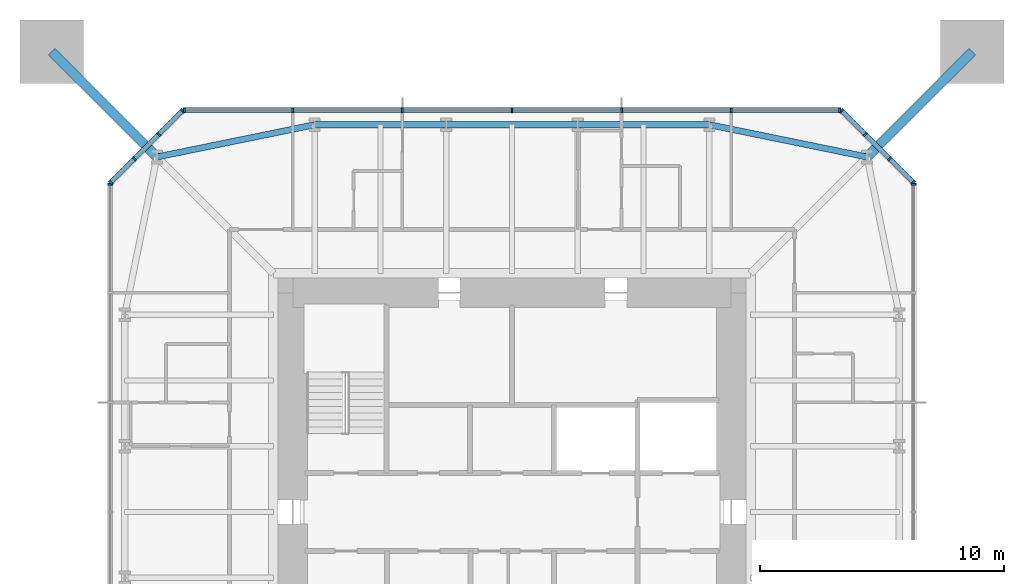
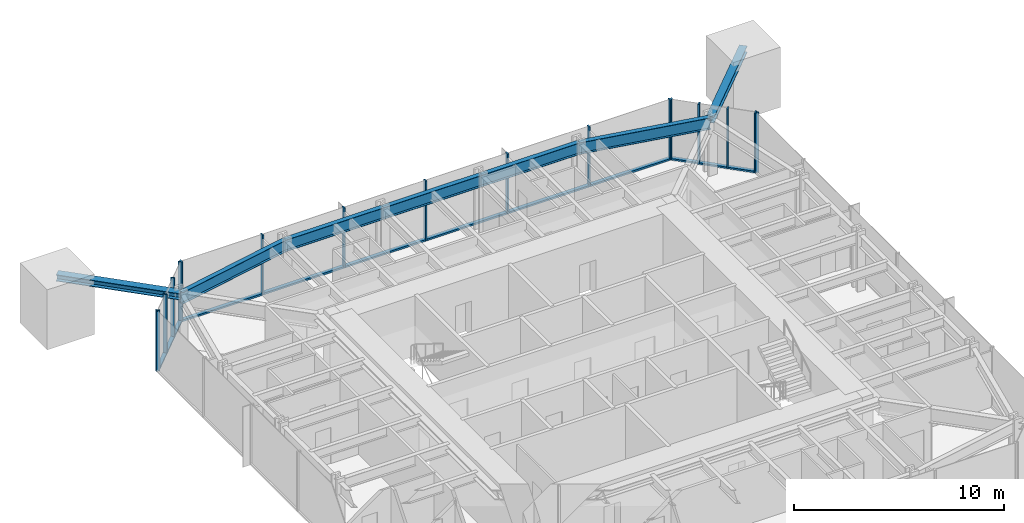
# One storey, part 4 of 9: 31 members, 5 beams, 5 elements without a shape of their own.
"""IFC4 building model written with IfcOpenShell, lengths in metres."""

from ifc_helpers import new_model, si_unit, direction, frame, origin, origin_2d, place, context, subcontext, project, spatial, rectangle, i_section, extrude, material, material_profile, profile_set, type_object, element, aggregate, save


model = new_model("IFC4")

# Units and contexts
model_context = context("Model", 3, precision=1e-05, world=origin(), true_north=direction((0.0, 1.0)))
body_context = subcontext(model_context, "Body", "Model", "MODEL_VIEW")
ifc_project = project(units=[si_unit("LENGTHUNIT", "METRE"), si_unit("AREAUNIT", "SQUARE_METRE"), si_unit("VOLUMEUNIT", "CUBIC_METRE"), si_unit("PLANEANGLEUNIT", "RADIAN"), si_unit("MASSUNIT", "GRAM", prefix="KILO")], contexts=[model_context])

# Site, building, storey
site_placement = place(None, origin())
site = spatial("IfcSite", under=ifc_project, at=site_placement, CompositionType="ELEMENT")
building_placement = place(site_placement, origin())
building = spatial("IfcBuilding", under=site, at=building_placement, Name="Iwan Alto Co-Living Towers", CompositionType="ELEMENT")
storey_placement = place(building_placement, frame((0.0, 0.0, 239.5)))
storey = spatial("IfcBuildingStorey", under=building, at=storey_placement, Name="L65", CompositionType="ELEMENT", Elevation=239.5)

# Curtain wall, member
ifc_material_1 = material(Name="Bronze aluminium unitised frame", Category="aluminium")
curtain_wall_type_1 = type_object("IfcCurtainWallType", Name="CURTAIN WALL CW-A", PredefinedType="NOTDEFINED", material=ifc_material_1)
curtain_wall_1_placement = place(storey_placement, origin())
curtain_wall_1 = element("IfcCurtainWall", 1, at=curtain_wall_1_placement, inside=storey, type_object=curtain_wall_type_1, Name="T1 curtain wall E L65", PredefinedType="NOTDEFINED")
ifc_material_2 = material(Name="Aluminium 6063-T6 bronze anodised", Category="aluminium")
ifc_material_profile_1 = material_profile(ifc_material_2, rectangle(XDim=0.199951171875, YDim=0.080078125, at=origin_2d()), Name="AL 80X200")
ifc_profile_set_1 = profile_set([ifc_material_profile_1], Name="Aluminium 6063-T6 bronze anodised")
member_type_1 = type_object("IfcMemberType", Name="CW-A MULLION 80X200", PredefinedType="MULLION", material=ifc_profile_set_1)
member_1_placement = place(storey_placement, frame((16.5, 13.4599609375, 0.0), z_axis=(0.0, 0.0, 1.0), x_axis=(-1.0, 0.0, 0.0)))
member_1 = element("IfcMember", 2, at=member_1_placement, type_object=member_type_1, Name="CW-A mullion 7", PredefinedType="MULLION", context=body_context, shape_type="SweptSolid", body=[
    extrude(rectangle(XDim=0.199951171875, YDim=0.080078125, at=origin_2d()), origin(), (0.0, 0.0, 1.0), 3.5),
])
aggregate(curtain_wall_1, [member_1])

# Curtain wall, members
curtain_wall_2_placement = place(storey_placement, origin())
curtain_wall_2 = element("IfcCurtainWall", 3, at=curtain_wall_2_placement, inside=storey, type_object=curtain_wall_type_1, Name="T1 curtain wall N L65", PredefinedType="NOTDEFINED")
member_2_placement = place(storey_placement, frame((13.4599609375, 16.5, 0.0), z_axis=(0.0, 0.0, 1.0), x_axis=(0.0, -1.0, 0.0)))
member_2 = element("IfcMember", 4, at=member_2_placement, type_object=member_type_1, Name="CW-A mullion 1", PredefinedType="MULLION", context=body_context, shape_type="SweptSolid", body=[
    extrude(rectangle(XDim=0.199951171875, YDim=0.080078125, at=origin_2d()), origin(), (0.0, 0.0, 1.0), 3.5),
])
member_3_placement = place(storey_placement, frame((9.0, 16.5, 0.0), z_axis=(0.0, 0.0, 1.0), x_axis=(0.0, -1.0, 0.0)))
member_3 = element("IfcMember", 5, at=member_3_placement, type_object=member_type_1, Name="CW-A mullion 2", PredefinedType="MULLION", context=body_context, shape_type="SweptSolid", body=[
    extrude(rectangle(XDim=0.199951171875, YDim=0.080078125, at=origin_2d()), origin(), (0.0, 0.0, 1.0), 3.5),
])
member_4_placement = place(storey_placement, frame((4.5, 16.5, 0.0), z_axis=(0.0, 0.0, 1.0), x_axis=(0.0, -1.0, 0.0)))
member_4 = element("IfcMember", 6, at=member_4_placement, type_object=member_type_1, Name="CW-A mullion 3", PredefinedType="MULLION", context=body_context, shape_type="SweptSolid", body=[
    extrude(rectangle(XDim=0.199951171875, YDim=0.080078125, at=origin_2d()), origin(), (0.0, 0.0, 1.0), 3.5),
])
member_5_placement = place(storey_placement, frame((0.0, 16.5, 0.0), z_axis=(0.0, 0.0, 1.0), x_axis=(0.0, -1.0, 0.0)))
member_5 = element("IfcMember", 7, at=member_5_placement, type_object=member_type_1, Name="CW-A mullion 4", PredefinedType="MULLION", context=body_context, shape_type="SweptSolid", body=[
    extrude(rectangle(XDim=0.199951171875, YDim=0.080078125, at=origin_2d()), origin(), (0.0, 0.0, 1.0), 3.5),
])
member_6_placement = place(storey_placement, frame((-4.5, 16.5, 0.0), z_axis=(0.0, 0.0, 1.0), x_axis=(0.0, -1.0, 0.0)))
member_6 = element("IfcMember", 8, at=member_6_placement, type_object=member_type_1, Name="CW-A mullion 5", PredefinedType="MULLION", context=body_context, shape_type="SweptSolid", body=[
    extrude(rectangle(XDim=0.199951171875, YDim=0.080078125, at=origin_2d()), origin(), (0.0, 0.0, 1.0), 3.5),
])
member_7_placement = place(storey_placement, frame((-9.0, 16.5, 0.0), z_axis=(0.0, 0.0, 1.0), x_axis=(0.0, -1.0, 0.0)))
member_7 = element("IfcMember", 9, at=member_7_placement, type_object=member_type_1, Name="CW-A mullion 6", PredefinedType="MULLION", context=body_context, shape_type="SweptSolid", body=[
    extrude(rectangle(XDim=0.199951171875, YDim=0.080078125, at=origin_2d()), origin(), (0.0, 0.0, 1.0), 3.5),
])
member_8_placement = place(storey_placement, frame((-13.4599609375, 16.5, 0.0), z_axis=(0.0, 0.0, 1.0), x_axis=(0.0, -1.0, 0.0)))
member_8 = element("IfcMember", 10, at=member_8_placement, type_object=member_type_1, Name="CW-A mullion 7", PredefinedType="MULLION", context=body_context, shape_type="SweptSolid", body=[
    extrude(rectangle(XDim=0.199951171875, YDim=0.080078125, at=origin_2d()), origin(), (0.0, 0.0, 1.0), 3.5),
])

# Curtain wall, member
curtain_wall_3_placement = place(storey_placement, origin())
curtain_wall_3 = element("IfcCurtainWall", 11, at=curtain_wall_3_placement, inside=storey, type_object=curtain_wall_type_1, Name="T1 curtain wall W L65", PredefinedType="NOTDEFINED")
member_9_placement = place(storey_placement, frame((-16.5, 13.4599609375, 0.0), z_axis=(0.0, 0.0, 1.0), x_axis=(1.0, 0.0, 0.0)))
member_9 = element("IfcMember", 12, at=member_9_placement, type_object=member_type_1, Name="CW-A mullion 1", PredefinedType="MULLION", context=body_context, shape_type="SweptSolid", body=[
    extrude(rectangle(XDim=0.199951171875, YDim=0.080078125, at=origin_2d()), origin(), (0.0, 0.0, 1.0), 3.5),
])
aggregate(curtain_wall_3, [member_9])

# Member
ifc_material_3 = material(Name="Aluminium 6063-T6 bronze anodised", Category="aluminium")
ifc_material_profile_2 = material_profile(ifc_material_3, rectangle(XDim=0.199951171875, YDim=0.10009765625, at=origin_2d()), Name="AL 200X100")
ifc_profile_set_2 = profile_set([ifc_material_profile_2], Name="Aluminium 6063-T6 bronze anodised")
member_type_2 = type_object("IfcMemberType", Name="CW-A TRANSOM 200X100", PredefinedType="USERDEFINED", material=ifc_profile_set_2)
member_10_placement = place(storey_placement, frame((13.419921875, 16.5, 0.050048828125), z_axis=(-1.0, 0.0, 0.0), x_axis=(0.0, -1.0, 0.0)))
member_10 = element("IfcMember", 13, at=member_10_placement, type_object=member_type_2, Name="CW-A transom 1.1", ObjectType="TRANSOM", PredefinedType="USERDEFINED", context=body_context, shape_type="SweptSolid", body=[
    extrude(rectangle(XDim=0.199951171875, YDim=0.10009765625, at=origin_2d()), origin(), (0.0, 0.0, 1.0), 4.3798828125),
])

member_11_placement = place(storey_placement, frame((8.9599609375, 16.5, 0.050048828125), z_axis=(-1.0, 0.0, 0.0), x_axis=(0.0, -1.0, 0.0)))
member_11 = element("IfcMember", 14, at=member_11_placement, type_object=member_type_2, Name="CW-A transom 2.1", ObjectType="TRANSOM", PredefinedType="USERDEFINED", context=body_context, shape_type="SweptSolid", body=[
    extrude(rectangle(XDim=0.199951171875, YDim=0.10009765625, at=origin_2d()), origin(), (0.0, 0.0, 1.0), 4.419921875),
])

member_12_placement = place(storey_placement, frame((4.4599609375, 16.5, 0.050048828125), z_axis=(-1.0, 0.0, 0.0), x_axis=(0.0, -1.0, 0.0)))
member_12 = element("IfcMember", 15, at=member_12_placement, type_object=member_type_2, Name="CW-A transom 3.1", ObjectType="TRANSOM", PredefinedType="USERDEFINED", context=body_context, shape_type="SweptSolid", body=[
    extrude(rectangle(XDim=0.199951171875, YDim=0.10009765625, at=origin_2d()), origin(), (0.0, 0.0, 1.0), 4.419921875),
])

member_13_placement = place(storey_placement, frame((-0.0400390625, 16.5, 0.050048828125), z_axis=(-1.0, 0.0, 0.0), x_axis=(0.0, -1.0, 0.0)))
member_13 = element("IfcMember", 16, at=member_13_placement, type_object=member_type_2, Name="CW-A transom 4.1", ObjectType="TRANSOM", PredefinedType="USERDEFINED", context=body_context, shape_type="SweptSolid", body=[
    extrude(rectangle(XDim=0.199951171875, YDim=0.10009765625, at=origin_2d()), origin(), (0.0, 0.0, 1.0), 4.419921875),
])

member_14_placement = place(storey_placement, frame((-4.5400390625, 16.5, 0.050048828125), z_axis=(-1.0, 0.0, 0.0), x_axis=(0.0, -1.0, 0.0)))
member_14 = element("IfcMember", 17, at=member_14_placement, type_object=member_type_2, Name="CW-A transom 5.1", ObjectType="TRANSOM", PredefinedType="USERDEFINED", context=body_context, shape_type="SweptSolid", body=[
    extrude(rectangle(XDim=0.199951171875, YDim=0.10009765625, at=origin_2d()), origin(), (0.0, 0.0, 1.0), 4.419921875),
])

member_15_placement = place(storey_placement, frame((-9.0400390625, 16.5, 0.050048828125), z_axis=(-1.0, 0.0, 0.0), x_axis=(0.0, -1.0, 0.0)))
member_15 = element("IfcMember", 18, at=member_15_placement, type_object=member_type_2, Name="CW-A transom 6.1", ObjectType="TRANSOM", PredefinedType="USERDEFINED", context=body_context, shape_type="SweptSolid", body=[
    extrude(rectangle(XDim=0.199951171875, YDim=0.10009765625, at=origin_2d()), origin(), (0.0, 0.0, 1.0), 4.3798828125),
])

aggregate(curtain_wall_2, [member_2, member_3, member_4, member_5, member_6, member_7, member_8, member_10, member_11, member_12, member_13, member_14, member_15])

# Curtain wall, members
ifc_material_4 = material(Name="Bronze aluminium unitised frame", Category="aluminium")
curtain_wall_type_2 = type_object("IfcCurtainWallType", Name="CURTAIN WALL CW-B", PredefinedType="NOTDEFINED", material=ifc_material_4)
curtain_wall_4_placement = place(storey_placement, origin())
curtain_wall_4 = element("IfcCurtainWall", 19, at=curtain_wall_4_placement, inside=storey, type_object=curtain_wall_type_2, Name="T1 chamfer curtain wall NE L65", PredefinedType="NOTDEFINED")
ifc_material_5 = material(Name="Aluminium 6063-T6 bronze anodised", Category="aluminium")
ifc_material_profile_3 = material_profile(ifc_material_5, rectangle(XDim=0.199951171875, YDim=0.080078125, at=origin_2d()), Name="AL 80X200")
ifc_profile_set_3 = profile_set([ifc_material_profile_3], Name="Aluminium 6063-T6 bronze anodised")
member_type_3 = type_object("IfcMemberType", Name="CW-B MULLION 80X200", PredefinedType="MULLION", material=ifc_profile_set_3)
member_16_placement = place(storey_placement, frame((16.4716796875, 13.5283203125, 0.0), z_axis=(0.0, 0.0, 1.0), x_axis=(-0.707106781187, -0.707106781187, 0.0)))
member_16 = element("IfcMember", 20, at=member_16_placement, type_object=member_type_3, Name="CW-B mullion 1", PredefinedType="MULLION", context=body_context, shape_type="SweptSolid", body=[
    extrude(rectangle(XDim=0.199951171875, YDim=0.080078125, at=origin_2d()), origin(), (0.0, 0.0, 1.0), 3.5),
])
member_17_placement = place(storey_placement, frame((15.5, 14.5, 0.0), z_axis=(0.0, 0.0, 1.0), x_axis=(-0.707106781187, -0.707106781187, 0.0)))
member_17 = element("IfcMember", 21, at=member_17_placement, type_object=member_type_3, Name="CW-B mullion 2", PredefinedType="MULLION", context=body_context, shape_type="SweptSolid", body=[
    extrude(rectangle(XDim=0.199951171875, YDim=0.080078125, at=origin_2d()), origin(), (0.0, 0.0, 1.0), 3.5),
])
member_18_placement = place(storey_placement, frame((14.5, 15.5, 0.0), z_axis=(0.0, 0.0, 1.0), x_axis=(-0.707106781187, -0.707106781187, 0.0)))
member_18 = element("IfcMember", 22, at=member_18_placement, type_object=member_type_3, Name="CW-B mullion 3", PredefinedType="MULLION", context=body_context, shape_type="SweptSolid", body=[
    extrude(rectangle(XDim=0.199951171875, YDim=0.080078125, at=origin_2d()), origin(), (0.0, 0.0, 1.0), 3.5),
])
member_19_placement = place(storey_placement, frame((13.5283203125, 16.4716796875, 0.0), z_axis=(0.0, 0.0, 1.0), x_axis=(-0.707106781187, -0.707106781187, 0.0)))
member_19 = element("IfcMember", 23, at=member_19_placement, type_object=member_type_3, Name="CW-B mullion 4", PredefinedType="MULLION", context=body_context, shape_type="SweptSolid", body=[
    extrude(rectangle(XDim=0.199951171875, YDim=0.080078125, at=origin_2d()), origin(), (0.0, 0.0, 1.0), 3.5),
])

curtain_wall_5_placement = place(storey_placement, origin())
curtain_wall_5 = element("IfcCurtainWall", 24, at=curtain_wall_5_placement, inside=storey, type_object=curtain_wall_type_2, Name="T1 chamfer curtain wall NW L65", PredefinedType="NOTDEFINED")
member_20_placement = place(storey_placement, frame((-13.5283203125, 16.4716796875, 0.0), z_axis=(0.0, 0.0, 1.0), x_axis=(0.707106781187, -0.707106781187, 0.0)))
member_20 = element("IfcMember", 25, at=member_20_placement, type_object=member_type_3, Name="CW-B mullion 1", PredefinedType="MULLION", context=body_context, shape_type="SweptSolid", body=[
    extrude(rectangle(XDim=0.199951171875, YDim=0.080078125, at=origin_2d()), origin(), (0.0, 0.0, 1.0), 3.5),
])
member_21_placement = place(storey_placement, frame((-14.5, 15.5, 0.0), z_axis=(0.0, 0.0, 1.0), x_axis=(0.707106781187, -0.707106781187, 0.0)))
member_21 = element("IfcMember", 26, at=member_21_placement, type_object=member_type_3, Name="CW-B mullion 2", PredefinedType="MULLION", context=body_context, shape_type="SweptSolid", body=[
    extrude(rectangle(XDim=0.199951171875, YDim=0.080078125, at=origin_2d()), origin(), (0.0, 0.0, 1.0), 3.5),
])
member_22_placement = place(storey_placement, frame((-15.5, 14.5, 0.0), z_axis=(0.0, 0.0, 1.0), x_axis=(0.707106781187, -0.707106781187, 0.0)))
member_22 = element("IfcMember", 27, at=member_22_placement, type_object=member_type_3, Name="CW-B mullion 3", PredefinedType="MULLION", context=body_context, shape_type="SweptSolid", body=[
    extrude(rectangle(XDim=0.199951171875, YDim=0.080078125, at=origin_2d()), origin(), (0.0, 0.0, 1.0), 3.5),
])
member_23_placement = place(storey_placement, frame((-16.4716796875, 13.5283203125, 0.0), z_axis=(0.0, 0.0, 1.0), x_axis=(0.707106781187, -0.707106781187, 0.0)))
member_23 = element("IfcMember", 28, at=member_23_placement, type_object=member_type_3, Name="CW-B mullion 4", PredefinedType="MULLION", context=body_context, shape_type="SweptSolid", body=[
    extrude(rectangle(XDim=0.199951171875, YDim=0.080078125, at=origin_2d()), origin(), (0.0, 0.0, 1.0), 3.5),
])

# Member
ifc_material_6 = material(Name="Aluminium 6063-T6 bronze anodised", Category="aluminium")
ifc_material_profile_4 = material_profile(ifc_material_6, rectangle(XDim=0.199951171875, YDim=0.10009765625, at=origin_2d()), Name="AL 200X100")
ifc_profile_set_4 = profile_set([ifc_material_profile_4], Name="Aluminium 6063-T6 bronze anodised")
member_type_4 = type_object("IfcMemberType", Name="CW-B TRANSOM 200X100", PredefinedType="USERDEFINED", material=ifc_profile_set_4)
member_24_placement = place(storey_placement, frame((16.443359375, 13.556640625, 0.050048828125), z_axis=(-0.707106781187, 0.707106781187, 0.0), x_axis=(-0.707106781187, -0.707106781187, 0.0)))
member_24 = element("IfcMember", 29, at=member_24_placement, type_object=member_type_4, Name="CW-B transom 1.1", ObjectType="TRANSOM", PredefinedType="USERDEFINED", context=body_context, shape_type="SweptSolid", body=[
    extrude(rectangle(XDim=0.199951171875, YDim=0.10009765625, at=origin_2d()), origin(), (0.0, 0.0, 1.0), 1.2939453125),
])

member_25_placement = place(storey_placement, frame((15.4716796875, 14.5283203125, 0.050048828125), z_axis=(-0.707106781187, 0.707106781187, 0.0), x_axis=(-0.707106781187, -0.707106781187, 0.0)))
member_25 = element("IfcMember", 30, at=member_25_placement, type_object=member_type_4, Name="CW-B transom 2.1", ObjectType="TRANSOM", PredefinedType="USERDEFINED", context=body_context, shape_type="SweptSolid", body=[
    extrude(rectangle(XDim=0.199951171875, YDim=0.10009765625, at=origin_2d()), origin(), (0.0, 0.0, 1.0), 1.334228515625),
])

member_26_placement = place(storey_placement, frame((14.4716796875, 15.5283203125, 0.050048828125), z_axis=(-0.707106781187, 0.707106781187, 0.0), x_axis=(-0.707106781187, -0.707106781187, 0.0)))
member_26 = element("IfcMember", 31, at=member_26_placement, type_object=member_type_4, Name="CW-B transom 3.1", ObjectType="TRANSOM", PredefinedType="USERDEFINED", context=body_context, shape_type="SweptSolid", body=[
    extrude(rectangle(XDim=0.199951171875, YDim=0.10009765625, at=origin_2d()), origin(), (0.0, 0.0, 1.0), 1.2939453125),
])

aggregate(curtain_wall_4, [member_16, member_17, member_18, member_19, member_24, member_25, member_26])

member_27_placement = place(storey_placement, frame((-13.556640625, 16.443359375, 0.050048828125), z_axis=(-0.707106781187, -0.707106781187, 0.0), x_axis=(0.707106781187, -0.707106781187, 0.0)))
member_27 = element("IfcMember", 32, at=member_27_placement, type_object=member_type_4, Name="CW-B transom 1.1", ObjectType="TRANSOM", PredefinedType="USERDEFINED", context=body_context, shape_type="SweptSolid", body=[
    extrude(rectangle(XDim=0.199951171875, YDim=0.10009765625, at=origin_2d()), origin(), (0.0, 0.0, 1.0), 1.2939453125),
])

member_28_placement = place(storey_placement, frame((-14.5283203125, 15.4716796875, 0.050048828125), z_axis=(-0.707106781187, -0.707106781187, 0.0), x_axis=(0.707106781187, -0.707106781187, 0.0)))
member_28 = element("IfcMember", 33, at=member_28_placement, type_object=member_type_4, Name="CW-B transom 2.1", ObjectType="TRANSOM", PredefinedType="USERDEFINED", context=body_context, shape_type="SweptSolid", body=[
    extrude(rectangle(XDim=0.199951171875, YDim=0.10009765625, at=origin_2d()), origin(), (0.0, 0.0, 1.0), 1.334228515625),
])

member_29_placement = place(storey_placement, frame((-15.5283203125, 14.4716796875, 0.050048828125), z_axis=(-0.707106781187, -0.707106781187, 0.0), x_axis=(0.707106781187, -0.707106781187, 0.0)))
member_29 = element("IfcMember", 34, at=member_29_placement, type_object=member_type_4, Name="CW-B transom 3.1", ObjectType="TRANSOM", PredefinedType="USERDEFINED", context=body_context, shape_type="SweptSolid", body=[
    extrude(rectangle(XDim=0.199951171875, YDim=0.10009765625, at=origin_2d()), origin(), (0.0, 0.0, 1.0), 1.2939453125),
])

aggregate(curtain_wall_5, [member_20, member_21, member_22, member_23, member_27, member_28, member_29])

# Beams
ifc_material_7 = material(Name="Steel ASTM A992 Gr 50", Category="steel")
ifc_material_profile_5 = material_profile(ifc_material_7, i_section(OverallWidth=0.25390625, OverallDepth=0.683349609375, WebThickness=0.012451171875, FlangeThickness=0.018798828125, at=origin_2d()), Name="W27X94")
ifc_profile_set_5 = profile_set([ifc_material_profile_5], Name="Steel ASTM A992 Gr 50")
beam_type = type_object("IfcBeamType", Name="T1 EDGE BEAM W27X94", PredefinedType="BEAM", material=ifc_profile_set_5)
beam_1_placement = place(storey_placement, frame((14.57568359375, 14.57568359375, 2.928466796875), z_axis=(-0.979724820103, 0.200347889618, 0.0), x_axis=(-0.200347889618, -0.979724820103, 0.0)))
element("IfcBeam", 35, at=beam_1_placement, inside=storey, type_object=beam_type, Name="T1 edge beam CNE L66", PredefinedType="BEAM", context=body_context, shape_type="SweptSolid", body=[
    extrude(i_section(OverallWidth=0.25390625, OverallDepth=0.683349609375, WebThickness=0.012451171875, FlangeThickness=0.018798828125, at=origin_2d()), origin(), (0.0, 0.0, 1.0), 6.609619140625),
])
beam_2_placement = place(storey_placement, frame((8.10009765625, 15.89990234375, 2.928466796875), z_axis=(-1.0, 0.0, 0.0), x_axis=(0.0, -1.0, 0.0)))
element("IfcBeam", 36, at=beam_2_placement, inside=storey, type_object=beam_type, Name="T1 edge beam N1 L66", PredefinedType="BEAM", context=body_context, shape_type="SweptSolid", body=[
    extrude(i_section(OverallWidth=0.25390625, OverallDepth=0.683349609375, WebThickness=0.012451171875, FlangeThickness=0.018798828125, at=origin_2d()), origin(), (0.0, 0.0, 1.0), 5.400146484375),
])
beam_3_placement = place(storey_placement, frame((2.699951171875, 15.89990234375, 2.928466796875), z_axis=(-1.0, 0.0, 0.0), x_axis=(0.0, -1.0, 0.0)))
element("IfcBeam", 37, at=beam_3_placement, inside=storey, type_object=beam_type, Name="T1 edge beam N2 L66", PredefinedType="BEAM", context=body_context, shape_type="SweptSolid", body=[
    extrude(i_section(OverallWidth=0.25390625, OverallDepth=0.683349609375, WebThickness=0.012451171875, FlangeThickness=0.018798828125, at=origin_2d()), origin(), (0.0, 0.0, 1.0), 5.39990234375),
])
beam_4_placement = place(storey_placement, frame((-2.699951171875, 15.89990234375, 2.928466796875), z_axis=(-1.0, 0.0, 0.0), x_axis=(0.0, -1.0, 0.0)))
element("IfcBeam", 38, at=beam_4_placement, inside=storey, type_object=beam_type, Name="T1 edge beam N3 L66", PredefinedType="BEAM", context=body_context, shape_type="SweptSolid", body=[
    extrude(i_section(OverallWidth=0.25390625, OverallDepth=0.683349609375, WebThickness=0.012451171875, FlangeThickness=0.018798828125, at=origin_2d()), origin(), (0.0, 0.0, 1.0), 5.400146484375),
])
beam_5_placement = place(storey_placement, frame((-8.10009765625, 15.89990234375, 2.928466796875), z_axis=(-0.979724820103, -0.200347889618, 0.0), x_axis=(0.200347889618, -0.979724820103, 0.0)))
element("IfcBeam", 39, at=beam_5_placement, inside=storey, type_object=beam_type, Name="T1 edge beam N4 L66", PredefinedType="BEAM", context=body_context, shape_type="SweptSolid", body=[
    extrude(i_section(OverallWidth=0.25390625, OverallDepth=0.683349609375, WebThickness=0.012451171875, FlangeThickness=0.018798828125, at=origin_2d()), origin(), (0.0, 0.0, 1.0), 6.609619140625),
])

# Members
ifc_material_8 = material(Name="Steel ASTM A992 Gr 50", Category="steel")
ifc_material_profile_6 = material_profile(ifc_material_8, i_section(OverallWidth=0.393798828125, OverallDepth=0.3759765625, WebThickness=0.017333984375, FlangeThickness=0.027587890625, at=origin_2d()), Name="W14X145")
ifc_profile_set_6 = profile_set([ifc_material_profile_6], Name="Steel ASTM A992 Gr 50")
member_type_5 = type_object("IfcMemberType", Name="T1 MEGA COLUMN FLOOR TIE W14X145", PredefinedType="STRUT", material=ifc_profile_set_6)
for number, where, z_axis, x_axis, name in (
    (40, (18.89990234375, 18.89990234375, 3.08203125), (-0.707106781187, -0.707106781187, 0.0), (0.707106781187, -0.707106781187, 0.0), "T1 mega column floor tie NE L66"),
    (41, (-18.89990234375, 18.89990234375, 3.08203125), (0.707106781187, -0.707106781187, 0.0), (0.707106781187, 0.707106781187, 0.0), "T1 mega column floor tie NW L66"),
):
    element("IfcMember", number, at=place(storey_placement, frame(where, z_axis=z_axis, x_axis=x_axis)), inside=storey, type_object=member_type_5, Name=name, PredefinedType="STRUT", context=body_context, shape_type="SweptSolid", body=[
        extrude(i_section(OverallWidth=0.393798828125, OverallDepth=0.3759765625, WebThickness=0.017333984375, FlangeThickness=0.027587890625, at=origin_2d()), origin(), (0.0, 0.0, 1.0), 6.115478515625),
    ])

save(model, "model.ifc")
